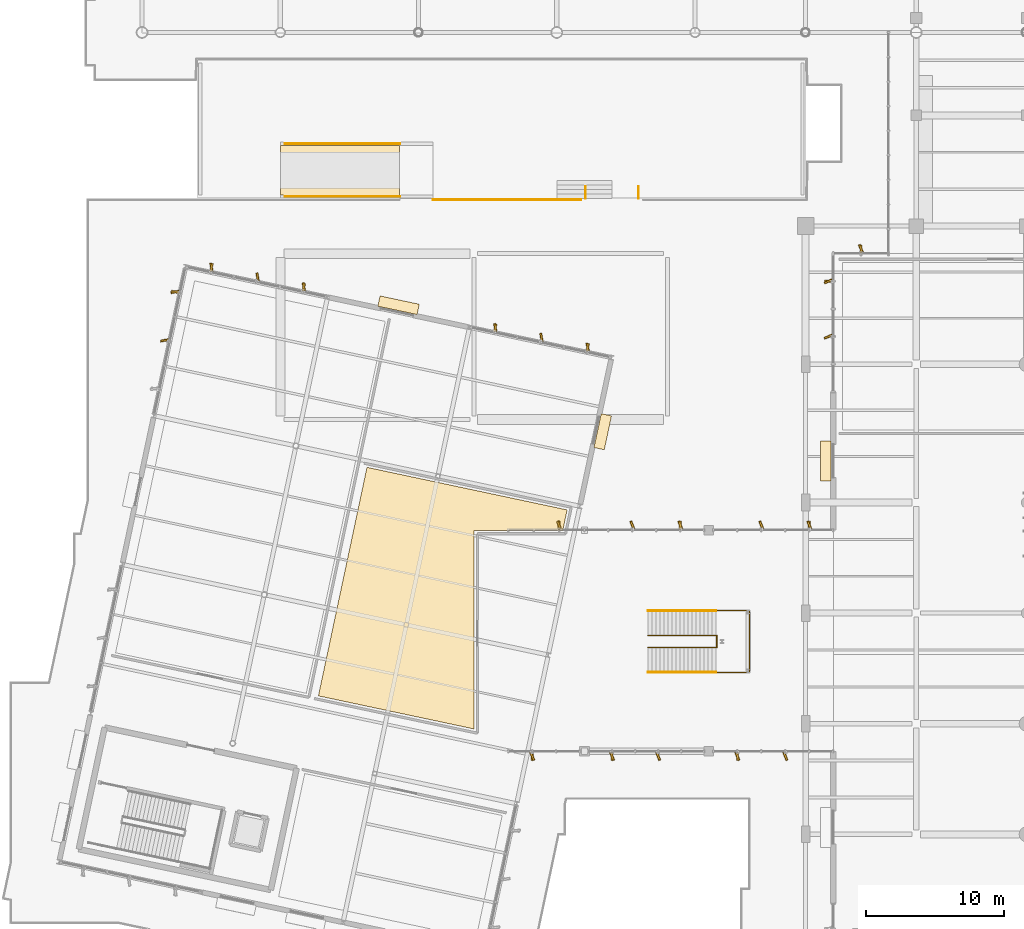
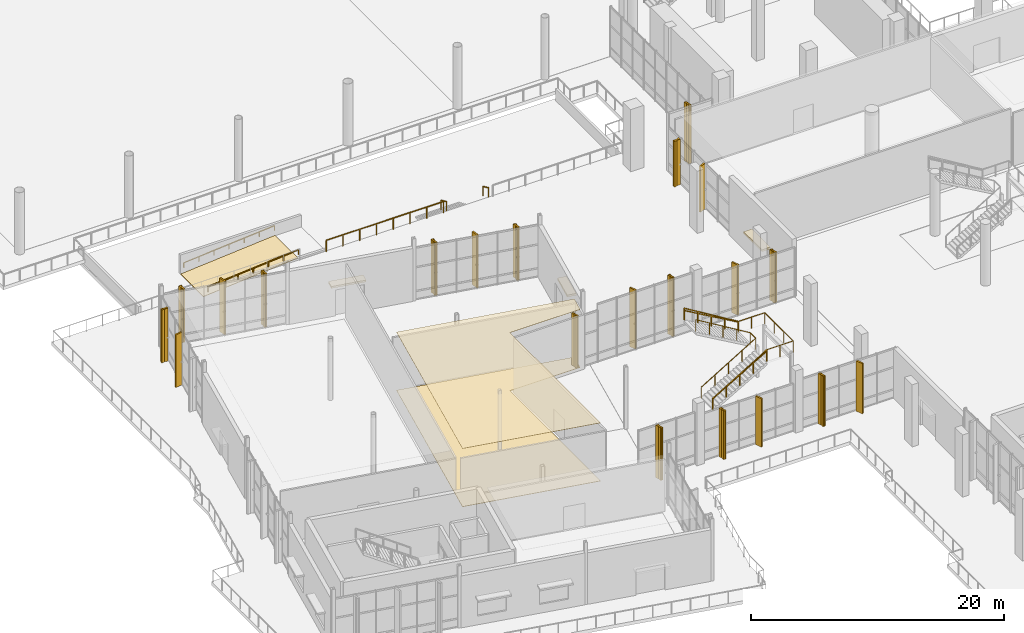
# One storey, part 151 of 163: 21 shading devices, 19 coverings, 11 railings, 3 elements without a shape of their own.
"""IFC4 building model written with IfcOpenShell, lengths in metres."""

from ifc_helpers import new_model, si_unit, direction, frame, origin, origin_2d, place, context, subcontext, project, spatial, polyline, rectangle, outline, extrude, material, layer, layer_set, type_object, element, aggregate, save


model = new_model("IFC4")

# Units and contexts
model_context = context("Model", 3, precision=1e-05, world=origin(), true_north=direction((0.0, 1.0)))
body_context = subcontext(model_context, "Body", "Model", "MODEL_VIEW")
ifc_project = project(units=[si_unit("LENGTHUNIT", "METRE"), si_unit("AREAUNIT", "SQUARE_METRE"), si_unit("VOLUMEUNIT", "CUBIC_METRE"), si_unit("PLANEANGLEUNIT", "RADIAN"), si_unit("MASSUNIT", "GRAM", prefix="KILO")], contexts=[model_context])

# Site, building, storey
site_placement = place(None, origin())
site = spatial("IfcSite", under=ifc_project, at=site_placement, CompositionType="ELEMENT")
building_placement = place(site_placement, origin())
building = spatial("IfcBuilding", under=site, at=building_placement, Name="Khorjan Park Terminus", CompositionType="ELEMENT")
storey_placement = place(building_placement, origin())
storey = spatial("IfcBuildingStorey", under=building, at=storey_placement, Name="L00", CompositionType="ELEMENT", Elevation=0.0)

# Coverings
ifc_material_1 = material(Name="Perforated Acoustic Aluminium Baffle Ceiling", Category="aluminium")
ifc_layer_1 = layer(ifc_material_1, 0.03)
ifc_layer_set_1 = layer_set([ifc_layer_1], Name="Perforated Acoustic Aluminium Baffle Ceiling")
covering_type_1 = type_object("IfcCoveringType", Name="CV-CLG-ACS", PredefinedType="CEILING", material=ifc_layer_set_1)
covering_1_placement = place(storey_placement, frame((0.0, 0.0, 5.615)))
element("IfcCovering", 1, at=covering_1_placement, inside=storey, type_object=covering_type_1, Name="Flush acoustic baffle ceiling AC-60 (L00-PAV-BKR)", PredefinedType="CEILING", context=body_context, shape_type="SweptSolid", body=[
    extrude(outline(polyline([(30.434, 65.99), (24.01, 65.99), (24.01, 51.6208), (12.7574, 54.0127), (16.2712, 70.5433), (30.7478, 67.4662), (30.434, 65.99)])), origin(), (0.0, 0.0, 1.0), 0.03),
])
ifc_material_2 = material(Name="Pigmented Precast GRC", Category="concrete")
ifc_layer_2 = layer(ifc_material_2, 0.16)
ifc_layer_set_2 = layer_set([ifc_layer_2], Name="Pigmented Precast GRC")
covering_type_2 = type_object("IfcCoveringType", Name="CV-FIN-GRC", PredefinedType="CLADDING", material=ifc_layer_set_2)
covering_2_placement = place(storey_placement, frame((52.0, 86.355, -0.02), z_axis=(0.0, 0.0, 1.0), x_axis=(0.0, -1.0, 0.0)))
element("IfcCovering", 2, at=covering_2_placement, inside=storey, type_object=covering_type_2, Name="Projecting desert-sandstone GRC facade fin CL-FN1 (CW-V2-N-L00-01-1)", PredefinedType="CLADDING", context=body_context, shape_type="SweptSolid", body=[
    extrude(rectangle(XDim=0.58, YDim=0.16, at=origin_2d()), origin(), (0.0, 0.0, 1.0), 5.66),
])
covering_3_placement = place(storey_placement, frame((49.645, 84.0, -0.02), z_axis=(0.0, 0.0, 1.0), x_axis=(1.0, 0.0, 0.0)))
element("IfcCovering", 3, at=covering_3_placement, inside=storey, type_object=covering_type_2, Name="Projecting desert-sandstone GRC facade fin CL-FN1 (CW-V2-W-L00-05-1)", PredefinedType="CLADDING", context=body_context, shape_type="SweptSolid", body=[
    extrude(rectangle(XDim=0.58, YDim=0.16, at=origin_2d()), origin(), (0.0, 0.0, 1.0), 4.405),
])
covering_4_placement = place(storey_placement, frame((28.2233, 49.645, -0.02), z_axis=(0.0, 0.0, 1.0), x_axis=(0.0, 1.0, 0.0)))
element("IfcCovering", 4, at=covering_4_placement, inside=storey, type_object=covering_type_2, Name="Projecting desert-sandstone GRC facade fin CL-FN1 (CW-V4L-S-L00-1-1)", PredefinedType="CLADDING", context=body_context, shape_type="SweptSolid", body=[
    extrude(rectangle(XDim=0.58, YDim=0.16, at=origin_2d()), origin(), (0.0, 0.0, 1.0), 5.065),
])
covering_5_placement = place(storey_placement, frame((30.1667, 66.355, -0.02), z_axis=(0.0, 0.0, 1.0), x_axis=(0.0, -1.0, 0.0)))
element("IfcCovering", 5, at=covering_5_placement, inside=storey, type_object=covering_type_2, Name="Projecting desert-sandstone GRC facade fin CL-FN1 (CW-V4L-N-L00-1-1)", PredefinedType="CLADDING", context=body_context, shape_type="SweptSolid", body=[
    extrude(rectangle(XDim=0.58, YDim=0.16, at=origin_2d()), origin(), (0.0, 0.0, 1.0), 5.055),
])
covering_6_placement = place(storey_placement, frame((33.998, 49.645, -0.02), z_axis=(0.0, 0.0, 1.0), x_axis=(0.0, 1.0, 0.0)))
element("IfcCovering", 6, at=covering_6_placement, inside=storey, type_object=covering_type_2, Name="Projecting desert-sandstone GRC facade fin CL-FN1 (CW-V4L-S-L00-2-1)", PredefinedType="CLADDING", context=body_context, shape_type="SweptSolid", body=[
    extrude(rectangle(XDim=0.58, YDim=0.16, at=origin_2d()), origin(), (0.0, 0.0, 1.0), 4.685),
])
covering_7_placement = place(storey_placement, frame((38.936, 66.355, -0.02), z_axis=(0.0, 0.0, 1.0), x_axis=(0.0, -1.0, 0.0)))
element("IfcCovering", 7, at=covering_7_placement, inside=storey, type_object=covering_type_2, Name="Projecting desert-sandstone GRC facade fin CL-FN1 (CW-V4L-N-L00-2-1)", PredefinedType="CLADDING", context=body_context, shape_type="SweptSolid", body=[
    extrude(rectangle(XDim=0.58, YDim=0.16, at=origin_2d()), origin(), (0.0, 0.0, 1.0), 5.68),
])
for number, where, z_axis, x_axis, name in (
    (8, (43.064, 49.645, -0.02), (0.0, 0.0, 1.0), (0.0, 1.0, 0.0), "Projecting desert-sandstone GRC facade fin CL-FN1 (CW-V4L-S-L00-3-1)"),
    (9, (48.266, 66.355, -0.02), (0.0, 0.0, 1.0), (0.0, -1.0, 0.0), "Projecting desert-sandstone GRC facade fin CL-FN1 (CW-V4L-N-L00-3-1)"),
):
    element("IfcCovering", number, at=place(storey_placement, frame(where, z_axis=z_axis, x_axis=x_axis)), inside=storey, type_object=covering_type_2, Name=name, PredefinedType="CLADDING", context=body_context, shape_type="SweptSolid", body=[
        extrude(rectangle(XDim=0.58, YDim=0.16, at=origin_2d()), origin(), (0.0, 0.0, 1.0), 4.865),
    ])
for number, where, z_axis, x_axis, name in (
    (10, (32.2356, 79.2187, -0.02), (0.0, 0.0, 1.0), (-0.207911690818, -0.978147600734, 0.0), "Projecting desert-sandstone GRC facade fin CL-FN1 (CW-V4-N-L00-B01-1)"),
    (11, (25.5513, 80.6394, -0.02), (0.0, 0.0, 1.0), (-0.207911690818, -0.978147600734, 0.0), "Projecting desert-sandstone GRC facade fin CL-FN1 (CW-V4-N-L00-B01-5)"),
):
    element("IfcCovering", number, at=place(storey_placement, frame(where, z_axis=z_axis, x_axis=x_axis)), inside=storey, type_object=covering_type_2, Name=name, PredefinedType="CLADDING", context=body_context, shape_type="SweptSolid", body=[
        extrude(rectangle(XDim=0.58, YDim=0.16, at=origin_2d()), origin(), (0.0, 0.0, 1.0), 5.115),
    ])
for number, where, z_axis, x_axis, name in (
    (12, (11.7044, 83.5827, -0.02), (0.0, 0.0, 1.0), (-0.207911690818, -0.978147600734, 0.0), "Projecting desert-sandstone GRC facade fin CL-FN1 (CW-V4-N-L00-B03-1)"),
    (13, (5.0202, 85.0035, -0.02), (0.0, 0.0, 1.0), (-0.207911690818, -0.978147600734, 0.0), "Projecting desert-sandstone GRC facade fin CL-FN1 (CW-V4-N-L00-B03-5)"),
):
    element("IfcCovering", number, at=place(storey_placement, frame(where, z_axis=z_axis, x_axis=x_axis)), inside=storey, type_object=covering_type_2, Name=name, PredefinedType="CLADDING", context=body_context, shape_type="SweptSolid", body=[
        extrude(rectangle(XDim=0.58, YDim=0.16, at=origin_2d()), origin(), (0.0, 0.0, 1.0), 5.165),
    ])
covering_8_placement = place(storey_placement, frame((2.4017, 83.2338, -0.02), z_axis=(0.0, 0.0, 1.0), x_axis=(0.978147600734, -0.207911690818, 0.0)))
element("IfcCovering", 14, at=covering_8_placement, inside=storey, type_object=covering_type_2, Name="Projecting desert-sandstone GRC facade fin CL-FN1 (CW-V4-W-L00-B01-1)", PredefinedType="CLADDING", context=body_context, shape_type="SweptSolid", body=[
    extrude(rectangle(XDim=0.58, YDim=0.16, at=origin_2d()), origin(), (0.0, 0.0, 1.0), 5.105),
])
ifc_material_3 = material(Name="Exterior Flamed Granite Ramp Paving", Category="masonry")
ifc_layer_3 = layer(ifc_material_3, 0.045)
ifc_layer_set_3 = layer_set([ifc_layer_3], Name="Exterior Flamed Granite Ramp Paving")
covering_type_3 = type_object("IfcCoveringType", Name="CV-FLR-GRNE", PredefinedType="FLOORING", material=ifc_layer_set_3)
covering_9_placement = place(storey_placement, frame((10.0, 90.24, -0.68), z_axis=(-0.083045479854, 0.0, 0.996545758245), x_axis=(0.996545758245, 0.0, 0.083045479854)))
element("IfcCovering", 15, at=covering_9_placement, inside=storey, type_object=covering_type_3, Name="Flamed granite ramp wearing surface FF-GRNE (GRMP-N-PK)", PredefinedType="FLOORING", context=body_context, shape_type="SweptSolid", body=[
    extrude(outline(polyline([(0.0, 0.0), (8.669948096730455, 0.0), (8.669948096730455, 3.6000000000000085), (0.0, 3.6000000000000085), (0.0, 0.0)])), origin(), (0.0, 0.0, -1.0), 0.045),
])
ifc_material_4 = material(Name="Polished Desert Limestone Terrazzo", Category="masonry")
ifc_layer_4 = layer(ifc_material_4, 0.035)
ifc_layer_set_4 = layer_set([ifc_layer_4], Name="Polished Desert Limestone Terrazzo")
covering_type_4 = type_object("IfcCoveringType", Name="CV-FLR-TRZ", PredefinedType="FLOORING", material=ifc_layer_set_4)
covering_10_placement = place(storey_placement, origin())
element("IfcCovering", 16, at=covering_10_placement, inside=storey, type_object=covering_type_4, Name="Architectural floor finish FF-TRZ (L00-PAV-BKR)", PredefinedType="FLOORING", context=body_context, shape_type="SweptSolid", body=[
    extrude(outline(polyline([(30.434, 65.99), (24.01, 65.99), (24.01, 51.6208), (12.7574, 54.0127), (16.2712, 70.5433), (30.7478, 67.4662), (30.434, 65.99)])), origin(), (0.0, 0.0, 1.0), 0.035),
])
ifc_layer_5 = layer(ifc_material_2, 0.18)
ifc_layer_set_5 = layer_set([ifc_layer_5], Name="Pigmented Precast GRC")
covering_type_5 = type_object("IfcCoveringType", Name="CV-HOOD-GRC", PredefinedType="CLADDING", material=ifc_layer_set_5)
covering_11_placement = place(storey_placement, frame((49.47, 71.0, 2.51), z_axis=(0.0, 0.0, 1.0), x_axis=(0.0, -1.0, 0.0)))
element("IfcCovering", 17, at=covering_11_placement, inside=storey, type_object=covering_type_5, Name="Projecting pigmented-GRC entrance canopy hood CL-HD1 (EW-V2-W-L00-04)", PredefinedType="CLADDING", context=body_context, shape_type="SweptSolid", body=[
    extrude(rectangle(XDim=2.9, YDim=0.76, at=origin_2d()), origin(), (0.0, 0.0, 1.0), 0.18),
])
covering_12_placement = place(storey_placement, frame((33.3244, 73.1194, 2.41), z_axis=(0.0, 0.0, 1.0), x_axis=(0.207912394777, 0.978147451102, 0.0)))
element("IfcCovering", 18, at=covering_12_placement, inside=storey, type_object=covering_type_5, Name="Projecting pigmented-GRC entrance canopy hood CL-HD1 (EW-V4-E-L00-B04)", PredefinedType="CLADDING", context=body_context, shape_type="SweptSolid", body=[
    extrude(rectangle(XDim=2.5, YDim=0.76, at=origin_2d()), origin(), (0.0, 0.0, 1.0), 0.18),
])
covering_13_placement = place(storey_placement, frame((18.5541, 82.2699, 2.51), z_axis=(0.0, 0.0, 1.0), x_axis=(-0.978147536904, 0.207911991112, 0.0)))
element("IfcCovering", 19, at=covering_13_placement, inside=storey, type_object=covering_type_5, Name="Projecting pigmented-GRC entrance canopy hood CL-HD1 (EW-V4-N-L00-B02)", PredefinedType="CLADDING", context=body_context, shape_type="SweptSolid", body=[
    extrude(rectangle(XDim=2.9, YDim=0.76, at=origin_2d()), origin(), (0.0, 0.0, 1.0), 0.18),
])

# Stair, railings
ifc_material_5 = material(Name="Concrete C40/50", Category="concrete")
stair_type_1 = type_object("IfcStairType", Name="STR-PUB-190", PredefinedType="HALF_TURN_STAIR", material=ifc_material_5)
stair_1_placement = place(storey_placement, origin())
stair_1 = element("IfcStair", 20, at=stair_1_placement, inside=storey, type_object=stair_type_1, Name="Public passenger half-turn stair PVS-01", PredefinedType="HALF_TURN_STAIR")
ifc_material_6 = material(Name="Steel S355", Category="steel")
railing_type_1 = type_object("IfcRailingType", Name="GR-112", PredefinedType="GUARDRAIL", material=ifc_material_6)
railing_1_placement = place(storey_placement, frame((36.6, 57.52, 0.0)))
railing_1 = element("IfcRailing", 21, at=railing_1_placement, type_object=railing_type_1, Name="Stair PVS-01 inner well slot guard GR-112", PredefinedType="GUARDRAIL", context=body_context, shape_type="SweptSolid", body=[
    extrude(rectangle(XDim=0.048, YDim=0.048, at=origin_2d()), frame((0.0, 0.0, 1.096), z_axis=(0.856121964148, 0.0, 0.516773821418), x_axis=(0.0, 1.0, 0.0)), (0.0, 0.0, 1.0), 5.8052),
    extrude(rectangle(XDim=0.048, YDim=0.048, at=origin_2d()), frame((4.97, 0.0, 4.096), z_axis=(0.0, 1.0, 0.0), x_axis=(-1.0, 0.0, 0.0)), (0.0, 0.0, 1.0), 0.86),
    extrude(rectangle(XDim=0.048, YDim=0.048, at=origin_2d()), frame((4.97, 0.86, 4.096), z_axis=(-0.856121964148, 0.0, 0.516773821418), x_axis=(0.0, -1.0, 0.0)), (0.0, 0.0, 1.0), 5.8052),
    extrude(rectangle(XDim=0.042, YDim=0.042, at=origin_2d()), origin(), (0.0, 0.0, 1.0), 1.072),
    extrude(rectangle(XDim=0.042, YDim=0.042, at=origin_2d()), frame((1.2425, 0.0, 0.75)), (0.0, 0.0, 1.0), 1.072),
    extrude(rectangle(XDim=0.042, YDim=0.042, at=origin_2d()), frame((2.485, 0.0, 1.5)), (0.0, 0.0, 1.0), 1.072),
    extrude(rectangle(XDim=0.042, YDim=0.042, at=origin_2d()), frame((3.7275, 0.0, 2.25)), (0.0, 0.0, 1.0), 1.072),
    extrude(rectangle(XDim=0.042, YDim=0.042, at=origin_2d()), frame((4.97, 0.0, 3.0)), (0.0, 0.0, 1.0), 1.072),
    extrude(rectangle(XDim=0.042, YDim=0.042, at=origin_2d()), frame((4.97, 0.86, 3.0)), (0.0, 0.0, 1.0), 1.072),
    extrude(rectangle(XDim=0.042, YDim=0.042, at=origin_2d()), frame((3.7275, 0.86, 3.75)), (0.0, 0.0, 1.0), 1.072),
    extrude(rectangle(XDim=0.042, YDim=0.042, at=origin_2d()), frame((2.485, 0.86, 4.5)), (0.0, 0.0, 1.0), 1.072),
    extrude(rectangle(XDim=0.042, YDim=0.042, at=origin_2d()), frame((1.2425, 0.86, 5.25)), (0.0, 0.0, 1.0), 1.072),
    extrude(rectangle(XDim=0.042, YDim=0.042, at=origin_2d()), frame((0.0, 0.86, 6.0)), (0.0, 0.0, 1.0), 1.072),
])
railing_2_placement = place(storey_placement, frame((41.53, 55.7, 3.0)))
railing_2 = element("IfcRailing", 22, at=railing_2_placement, type_object=railing_type_1, Name="Stair PVS-01 horizontal half-landing guard GR-112", PredefinedType="GUARDRAIL", context=body_context, shape_type="SweptSolid", body=[
    extrude(rectangle(XDim=0.048, YDim=0.048, at=origin_2d()), frame((0.0, 0.0, 1.096), z_axis=(1.0, 0.0, 0.0), x_axis=(0.0, 1.0, 0.0)), (0.0, 0.0, 1.0), 2.41),
    extrude(rectangle(XDim=0.048, YDim=0.048, at=origin_2d()), frame((2.41, 0.0, 1.096), z_axis=(0.0, 1.0, 0.0), x_axis=(-1.0, 0.0, 0.0)), (0.0, 0.0, 1.0), 4.5),
    extrude(rectangle(XDim=0.048, YDim=0.048, at=origin_2d()), frame((2.41, 4.5, 1.096), z_axis=(-1.0, 0.0, 0.0), x_axis=(0.0, -1.0, 0.0)), (0.0, 0.0, 1.0), 2.41),
    extrude(rectangle(XDim=0.042, YDim=0.042, at=origin_2d()), origin(), (0.0, 0.0, 1.0), 1.072),
    extrude(rectangle(XDim=0.042, YDim=0.042, at=origin_2d()), frame((1.205, 0.0, 0.0)), (0.0, 0.0, 1.0), 1.072),
    extrude(rectangle(XDim=0.042, YDim=0.042, at=origin_2d()), frame((2.41, 0.0, 0.0)), (0.0, 0.0, 1.0), 1.072),
    extrude(rectangle(XDim=0.042, YDim=0.042, at=origin_2d()), frame((2.41, 1.5, 0.0)), (0.0, 0.0, 1.0), 1.072),
    extrude(rectangle(XDim=0.042, YDim=0.042, at=origin_2d()), frame((2.41, 3.0, 0.0)), (0.0, 0.0, 1.0), 1.072),
    extrude(rectangle(XDim=0.042, YDim=0.042, at=origin_2d()), frame((2.41, 4.5, 0.0)), (0.0, 0.0, 1.0), 1.072),
    extrude(rectangle(XDim=0.042, YDim=0.042, at=origin_2d()), frame((1.205, 4.5, 0.0)), (0.0, 0.0, 1.0), 1.072),
    extrude(rectangle(XDim=0.042, YDim=0.042, at=origin_2d()), frame((0.0, 4.5, 0.0)), (0.0, 0.0, 1.0), 1.072),
])
railing_3_placement = place(storey_placement, frame((36.6, 55.7, 0.0)))
railing_3 = element("IfcRailing", 23, at=railing_3_placement, type_object=railing_type_1, Name="Stair PVS-01 lower outer flight guard GR-112", PredefinedType="GUARDRAIL", context=body_context, shape_type="SweptSolid", body=[
    extrude(rectangle(XDim=0.048, YDim=0.048, at=origin_2d()), frame((0.0, 0.0, 1.096), z_axis=(0.854265470084, 0.0, 0.519837000051), x_axis=(0.0, 1.0, 0.0)), (0.0, 0.0, 1.0), 5.771),
    extrude(rectangle(XDim=0.042, YDim=0.042, at=origin_2d()), origin(), (0.0, 0.0, 1.0), 1.072),
    extrude(rectangle(XDim=0.042, YDim=0.042, at=origin_2d()), frame((1.2325, 0.0, 0.75)), (0.0, 0.0, 1.0), 1.072),
    extrude(rectangle(XDim=0.042, YDim=0.042, at=origin_2d()), frame((2.465, 0.0, 1.5)), (0.0, 0.0, 1.0), 1.072),
    extrude(rectangle(XDim=0.042, YDim=0.042, at=origin_2d()), frame((3.6975, 0.0, 2.25)), (0.0, 0.0, 1.0), 1.072),
    extrude(rectangle(XDim=0.042, YDim=0.042, at=origin_2d()), frame((4.93, 0.0, 3.0)), (0.0, 0.0, 1.0), 1.072),
])
railing_4_placement = place(storey_placement, frame((41.53, 60.2, 3.0)))
railing_4 = element("IfcRailing", 24, at=railing_4_placement, type_object=railing_type_1, Name="Stair PVS-01 upper outer flight guard GR-112", PredefinedType="GUARDRAIL", context=body_context, shape_type="SweptSolid", body=[
    extrude(rectangle(XDim=0.048, YDim=0.048, at=origin_2d()), frame((0.0, 0.0, 1.096), z_axis=(-0.854265470084, 0.0, 0.519837000051), x_axis=(0.0, -1.0, 0.0)), (0.0, 0.0, 1.0), 5.771),
    extrude(rectangle(XDim=0.042, YDim=0.042, at=origin_2d()), origin(), (0.0, 0.0, 1.0), 1.072),
    extrude(rectangle(XDim=0.042, YDim=0.042, at=origin_2d()), frame((-1.2325, 0.0, 0.75)), (0.0, 0.0, 1.0), 1.072),
    extrude(rectangle(XDim=0.042, YDim=0.042, at=origin_2d()), frame((-2.465, 0.0, 1.5)), (0.0, 0.0, 1.0), 1.072),
    extrude(rectangle(XDim=0.042, YDim=0.042, at=origin_2d()), frame((-3.6975, 0.0, 2.25)), (0.0, 0.0, 1.0), 1.072),
    extrude(rectangle(XDim=0.042, YDim=0.042, at=origin_2d()), frame((-4.93, 0.0, 3.0)), (0.0, 0.0, 1.0), 1.072),
])

# Railing
ifc_material_7 = material(Name="Anodized Bronze Aluminium & Laminated Glass", Category="aluminium")
railing_type_2 = type_object("IfcRailingType", Name="GR-BAL", PredefinedType="BALUSTRADE", material=ifc_material_7)
railing_5_placement = place(storey_placement, frame((21.04, 89.9002, 0.0)))
element("IfcRailing", 25, at=railing_5_placement, inside=storey, type_object=railing_type_2, Name="Perimeter safety guard GB-112 (L00-2)", PredefinedType="BALUSTRADE", context=body_context, shape_type="SweptSolid", body=[
    extrude(rectangle(XDim=0.048, YDim=0.048, at=origin_2d()), frame((0.0, 0.0, 1.096), z_axis=(0.999999999956, 9.337068e-06, 0.0), x_axis=(-9.337068e-06, 0.999999999956, 0.0)), (0.0, 0.0, 1.0), 10.71),
    extrude(rectangle(XDim=0.042, YDim=0.042, at=origin_2d()), origin(), (0.0, 0.0, 1.0), 1.072),
    extrude(rectangle(XDim=0.042, YDim=0.042, at=origin_2d()), frame((1.53, 0.0, 0.0)), (0.0, 0.0, 1.0), 1.072),
    extrude(rectangle(XDim=0.042, YDim=0.042, at=origin_2d()), frame((3.06, 0.0, 0.0)), (0.0, 0.0, 1.0), 1.072),
    extrude(rectangle(XDim=0.042, YDim=0.042, at=origin_2d()), frame((4.59, 0.0, 0.0)), (0.0, 0.0, 1.0), 1.072),
    extrude(rectangle(XDim=0.042, YDim=0.042, at=origin_2d()), frame((6.12, 0.0001, 0.0)), (0.0, 0.0, 1.0), 1.072),
    extrude(rectangle(XDim=0.042, YDim=0.042, at=origin_2d()), frame((7.65, 0.0001, 0.0)), (0.0, 0.0, 1.0), 1.072),
    extrude(rectangle(XDim=0.042, YDim=0.042, at=origin_2d()), frame((9.18, 0.0001, 0.0)), (0.0, 0.0, 1.0), 1.072),
    extrude(rectangle(XDim=0.042, YDim=0.042, at=origin_2d()), frame((10.71, 0.0001, 0.0)), (0.0, 0.0, 1.0), 1.072),
])

railing_type_3 = type_object("IfcRailingType", Name="HR-92", PredefinedType="HANDRAIL", material=ifc_material_6)
railing_6_placement = place(storey_placement, frame((36.6, 55.74, 0.1667)))
railing_6 = element("IfcRailing", 26, at=railing_6_placement, type_object=railing_type_3, Name="Stair PVS-01 lower handrail HR-92", PredefinedType="HANDRAIL", context=body_context, shape_type="SweptSolid", body=[
    extrude(rectangle(XDim=0.048, YDim=0.048, at=origin_2d()), frame((0.0, 0.0, 0.896), z_axis=(0.867016476548, 0.0, 0.498279469169), x_axis=(0.0, 1.0, 0.0)), (0.0, 0.0, 1.0), 5.6862),
    extrude(rectangle(XDim=0.042, YDim=0.042, at=origin_2d()), origin(), (0.0, 0.0, 1.0), 0.872),
    extrude(rectangle(XDim=0.042, YDim=0.042, at=origin_2d()), frame((1.2325, 0.0, 0.7083)), (0.0, 0.0, 1.0), 0.872),
    extrude(rectangle(XDim=0.042, YDim=0.042, at=origin_2d()), frame((2.465, 0.0, 1.4166)), (0.0, 0.0, 1.0), 0.872),
    extrude(rectangle(XDim=0.042, YDim=0.042, at=origin_2d()), frame((3.6975, 0.0, 2.125)), (0.0, 0.0, 1.0), 0.872),
    extrude(rectangle(XDim=0.042, YDim=0.042, at=origin_2d()), frame((4.93, 0.0, 2.8333)), (0.0, 0.0, 1.0), 0.872),
])

railing_7_placement = place(storey_placement, frame((41.53, 60.16, 3.1667)))
railing_7 = element("IfcRailing", 27, at=railing_7_placement, type_object=railing_type_3, Name="Stair PVS-01 upper handrail HR-92", PredefinedType="HANDRAIL", context=body_context, shape_type="SweptSolid", body=[
    extrude(rectangle(XDim=0.048, YDim=0.048, at=origin_2d()), frame((0.0, 0.0, 0.896), z_axis=(-0.867016476548, 0.0, 0.498279469169), x_axis=(0.0, -1.0, 0.0)), (0.0, 0.0, 1.0), 5.6862),
    extrude(rectangle(XDim=0.042, YDim=0.042, at=origin_2d()), origin(), (0.0, 0.0, 1.0), 0.872),
    extrude(rectangle(XDim=0.042, YDim=0.042, at=origin_2d()), frame((-1.2325, 0.0, 0.7083)), (0.0, 0.0, 1.0), 0.872),
    extrude(rectangle(XDim=0.042, YDim=0.042, at=origin_2d()), frame((-2.465, 0.0, 1.4166)), (0.0, 0.0, 1.0), 0.872),
    extrude(rectangle(XDim=0.042, YDim=0.042, at=origin_2d()), frame((-3.6975, 0.0, 2.125)), (0.0, 0.0, 1.0), 0.872),
    extrude(rectangle(XDim=0.042, YDim=0.042, at=origin_2d()), frame((-4.93, 0.0, 2.8333)), (0.0, 0.0, 1.0), 0.872),
])

aggregate(stair_1, [railing_6, railing_7, railing_1, railing_2, railing_3, railing_4])

# Stair, railings
stair_type_2 = type_object("IfcStairType", Name="STR-CIV-400", PredefinedType="STRAIGHT_RUN_STAIR", material=ifc_material_5)
stair_2_placement = place(storey_placement, origin())
stair_2 = element("IfcStair", 28, at=stair_2_placement, inside=storey, type_object=stair_type_2, Name="Monumental civic entrance stair ES-03", PredefinedType="STRAIGHT_RUN_STAIR")
railing_type_4 = type_object("IfcRailingType", Name="HR-EXT", PredefinedType="HANDRAIL", material=ifc_material_6)
railing_8_placement = place(storey_placement, frame((32.08, 90.86, -0.387)))
railing_8 = element("IfcRailing", 29, at=railing_8_placement, type_object=railing_type_4, Name="Civic stair ES-03 left handrail HR-EXT", PredefinedType="HANDRAIL", context=body_context, shape_type="SweptSolid", body=[
    extrude(rectangle(XDim=0.048, YDim=0.048, at=origin_2d()), frame((0.0, 0.0, 0.896), z_axis=(0.0, -0.911921505175, 0.410364677329), x_axis=(1.0, 0.0, 0.0)), (0.0, 0.0, 1.0), 0.9431),
    extrude(rectangle(XDim=0.042, YDim=0.042, at=origin_2d()), origin(), (0.0, 0.0, 1.0), 0.872),
    extrude(rectangle(XDim=0.042, YDim=0.042, at=origin_2d()), frame((0.0, -0.86, 0.387)), (0.0, 0.0, 1.0), 0.872),
])
railing_9_placement = place(storey_placement, frame((35.92, 90.86, -0.387)))
railing_9 = element("IfcRailing", 30, at=railing_9_placement, type_object=railing_type_4, Name="Civic stair ES-03 right handrail HR-EXT", PredefinedType="HANDRAIL", context=body_context, shape_type="SweptSolid", body=[
    extrude(rectangle(XDim=0.048, YDim=0.048, at=origin_2d()), frame((0.0, 0.0, 0.896), z_axis=(0.0, -0.911921505175, 0.410364677329), x_axis=(1.0, 0.0, 0.0)), (0.0, 0.0, 1.0), 0.9431),
    extrude(rectangle(XDim=0.042, YDim=0.042, at=origin_2d()), origin(), (0.0, 0.0, 1.0), 0.872),
    extrude(rectangle(XDim=0.042, YDim=0.042, at=origin_2d()), frame((0.0, -0.86, 0.387)), (0.0, 0.0, 1.0), 0.872),
])
aggregate(stair_2, [railing_8, railing_9])

# Ramp, railings
ramp_type = type_object("IfcRampType", Name="RMP-ACC-360", PredefinedType="STRAIGHT_RUN_RAMP", material=ifc_material_5)
ramp_placement = place(storey_placement, origin())
ramp = element("IfcRamp", 31, at=ramp_placement, inside=storey, type_object=ramp_type, Name="Accessible 1:12 site-grade approach ramp AR-04", PredefinedType="STRAIGHT_RUN_RAMP")
railing_10_placement = place(storey_placement, frame((10.36, 90.13, -0.69)))
railing_10 = element("IfcRailing", 32, at=railing_10_placement, type_object=railing_type_4, Name="Accessible ramp handrail HR-EXT (GRMP-N-PK-S)", PredefinedType="HANDRAIL", context=body_context, shape_type="SweptSolid", body=[
    extrude(rectangle(XDim=0.048, YDim=0.048, at=origin_2d()), frame((0.0, 0.0, 0.896), z_axis=(0.996545758245, 0.0, 0.083045479854), x_axis=(0.0, 1.0, 0.0)), (0.0, 0.0, 1.0), 8.3087),
    extrude(rectangle(XDim=0.042, YDim=0.042, at=origin_2d()), frame((0.0, 0.0, 0.442)), (0.0, 0.0, 1.0), 0.43),
    extrude(rectangle(XDim=0.042, YDim=0.042, at=origin_2d()), frame((1.38, 0.0, 0.557)), (0.0, 0.0, 1.0), 0.43),
    extrude(rectangle(XDim=0.042, YDim=0.042, at=origin_2d()), frame((2.76, 0.0, 0.672)), (0.0, 0.0, 1.0), 0.43),
    extrude(rectangle(XDim=0.042, YDim=0.042, at=origin_2d()), frame((4.14, 0.0, 0.787)), (0.0, 0.0, 1.0), 0.43),
    extrude(rectangle(XDim=0.042, YDim=0.042, at=origin_2d()), frame((5.52, 0.0, 0.902)), (0.0, 0.0, 1.0), 0.43),
    extrude(rectangle(XDim=0.042, YDim=0.042, at=origin_2d()), frame((6.9, 0.0, 1.017)), (0.0, 0.0, 1.0), 0.43),
    extrude(rectangle(XDim=0.042, YDim=0.042, at=origin_2d()), frame((8.28, 0.0, 1.132)), (0.0, 0.0, 1.0), 0.43),
])
railing_11_placement = place(storey_placement, frame((10.36, 93.95, -0.69)))
railing_11 = element("IfcRailing", 33, at=railing_11_placement, type_object=railing_type_4, Name="Accessible ramp handrail HR-EXT (GRMP-N-PK-N)", PredefinedType="HANDRAIL", context=body_context, shape_type="SweptSolid", body=[
    extrude(rectangle(XDim=0.048, YDim=0.048, at=origin_2d()), frame((0.0, 0.0, 0.896), z_axis=(0.996545758245, 0.0, 0.083045479854), x_axis=(0.0, 1.0, 0.0)), (0.0, 0.0, 1.0), 8.3087),
    extrude(rectangle(XDim=0.042, YDim=0.042, at=origin_2d()), frame((0.0, 0.0, 0.442)), (0.0, 0.0, 1.0), 0.43),
    extrude(rectangle(XDim=0.042, YDim=0.042, at=origin_2d()), frame((1.38, 0.0, 0.557)), (0.0, 0.0, 1.0), 0.43),
    extrude(rectangle(XDim=0.042, YDim=0.042, at=origin_2d()), frame((2.76, 0.0, 0.672)), (0.0, 0.0, 1.0), 0.43),
    extrude(rectangle(XDim=0.042, YDim=0.042, at=origin_2d()), frame((4.14, 0.0, 0.787)), (0.0, 0.0, 1.0), 0.43),
    extrude(rectangle(XDim=0.042, YDim=0.042, at=origin_2d()), frame((5.52, 0.0, 0.902)), (0.0, 0.0, 1.0), 0.43),
    extrude(rectangle(XDim=0.042, YDim=0.042, at=origin_2d()), frame((6.9, 0.0, 1.017)), (0.0, 0.0, 1.0), 0.43),
    extrude(rectangle(XDim=0.042, YDim=0.042, at=origin_2d()), frame((8.28, 0.0, 1.132)), (0.0, 0.0, 1.0), 0.43),
])
aggregate(ramp, [railing_10, railing_11])

# Shading devices
ifc_material_8 = material(Name="Anodized Bronze Aluminium", Category="aluminium")
shading_device_type = type_object("IfcShadingDeviceType", Name="SD-FIN-620", PredefinedType="JALOUSIE", material=ifc_material_8)
shading_device_1_placement = place(storey_placement, frame((52.0, 86.355, -0.02), z_axis=(0.0, 0.0, 1.0), x_axis=(0.374606593416, -0.927183854567, 0.0)))
element("IfcShadingDevice", 34, at=shading_device_1_placement, inside=storey, type_object=shading_device_type, Name="Angled solar brise-soleil fin SF-62 (CW-V2-N-L00-01-1)", PredefinedType="JALOUSIE", context=body_context, shape_type="SweptSolid", body=[
    extrude(rectangle(XDim=0.62, YDim=0.14, at=origin_2d()), origin(), (0.0, 0.0, 1.0), 5.66),
])
for number, where, z_axis, x_axis, name in (
    (35, (49.645, 84.0, -0.02), (0.0, 0.0, 1.0), (0.927183854567, 0.374606593416, 0.0), "Angled solar brise-soleil fin SF-62 (CW-V2-W-L00-05-1)"),
    (36, (49.645, 80.0, -0.02), (0.0, 0.0, 1.0), (0.927183854567, 0.374606593416, 0.0), "Angled solar brise-soleil fin SF-62 (CW-V2-W-L00-05-3)"),
):
    element("IfcShadingDevice", number, at=place(storey_placement, frame(where, z_axis=z_axis, x_axis=x_axis)), inside=storey, type_object=shading_device_type, Name=name, PredefinedType="JALOUSIE", context=body_context, shape_type="SweptSolid", body=[
        extrude(rectangle(XDim=0.62, YDim=0.14, at=origin_2d()), origin(), (0.0, 0.0, 1.0), 4.405),
    ])
shading_device_2_placement = place(storey_placement, frame((28.2233, 49.645, -0.02), z_axis=(0.0, 0.0, 1.0), x_axis=(-0.374606593416, 0.927183854567, 0.0)))
element("IfcShadingDevice", 37, at=shading_device_2_placement, inside=storey, type_object=shading_device_type, Name="Angled solar brise-soleil fin SF-62 (CW-V4L-S-L00-1-1)", PredefinedType="JALOUSIE", context=body_context, shape_type="SweptSolid", body=[
    extrude(rectangle(XDim=0.62, YDim=0.14, at=origin_2d()), origin(), (0.0, 0.0, 1.0), 5.065),
])
shading_device_3_placement = place(storey_placement, frame((30.1667, 66.355, -0.02), z_axis=(0.0, 0.0, 1.0), x_axis=(0.374606593416, -0.927183854567, 0.0)))
element("IfcShadingDevice", 38, at=shading_device_3_placement, inside=storey, type_object=shading_device_type, Name="Angled solar brise-soleil fin SF-62 (CW-V4L-N-L00-1-1)", PredefinedType="JALOUSIE", context=body_context, shape_type="SweptSolid", body=[
    extrude(rectangle(XDim=0.62, YDim=0.14, at=origin_2d()), origin(), (0.0, 0.0, 1.0), 5.055),
])
for number, where, z_axis, x_axis, name in (
    (39, (33.998, 49.645, -0.02), (0.0, 0.0, 1.0), (-0.374606593416, 0.927183854567, 0.0), "Angled solar brise-soleil fin SF-62 (CW-V4L-S-L00-2-1)"),
    (40, (37.334, 49.645, -0.02), (0.0, 0.0, 1.0), (-0.374606593416, 0.927183854567, 0.0), "Angled solar brise-soleil fin SF-62 (CW-V4L-S-L00-2-3)"),
):
    element("IfcShadingDevice", number, at=place(storey_placement, frame(where, z_axis=z_axis, x_axis=x_axis)), inside=storey, type_object=shading_device_type, Name=name, PredefinedType="JALOUSIE", context=body_context, shape_type="SweptSolid", body=[
        extrude(rectangle(XDim=0.62, YDim=0.14, at=origin_2d()), origin(), (0.0, 0.0, 1.0), 4.685),
    ])
for number, where, z_axis, x_axis, name in (
    (41, (38.936, 66.355, -0.02), (0.0, 0.0, 1.0), (0.374606593416, -0.927183854567, 0.0), "Angled solar brise-soleil fin SF-62 (CW-V4L-N-L00-2-1)"),
    (42, (35.468, 66.355, -0.02), (0.0, 0.0, 1.0), (0.374606593416, -0.927183854567, 0.0), "Angled solar brise-soleil fin SF-62 (CW-V4L-N-L00-2-3)"),
):
    element("IfcShadingDevice", number, at=place(storey_placement, frame(where, z_axis=z_axis, x_axis=x_axis)), inside=storey, type_object=shading_device_type, Name=name, PredefinedType="JALOUSIE", context=body_context, shape_type="SweptSolid", body=[
        extrude(rectangle(XDim=0.62, YDim=0.14, at=origin_2d()), origin(), (0.0, 0.0, 1.0), 5.68),
    ])
for number, where, z_axis, x_axis, name in (
    (43, (43.064, 49.645, -0.02), (0.0, 0.0, 1.0), (-0.374606593416, 0.927183854567, 0.0), "Angled solar brise-soleil fin SF-62 (CW-V4L-S-L00-3-1)"),
    (44, (46.532, 49.645, -0.02), (0.0, 0.0, 1.0), (-0.374606593416, 0.927183854567, 0.0), "Angled solar brise-soleil fin SF-62 (CW-V4L-S-L00-3-3)"),
    (45, (48.266, 66.355, -0.02), (0.0, 0.0, 1.0), (0.374606593416, -0.927183854567, 0.0), "Angled solar brise-soleil fin SF-62 (CW-V4L-N-L00-3-1)"),
    (46, (44.798, 66.355, -0.02), (0.0, 0.0, 1.0), (0.374606593416, -0.927183854567, 0.0), "Angled solar brise-soleil fin SF-62 (CW-V4L-N-L00-3-3)"),
):
    element("IfcShadingDevice", number, at=place(storey_placement, frame(where, z_axis=z_axis, x_axis=x_axis)), inside=storey, type_object=shading_device_type, Name=name, PredefinedType="JALOUSIE", context=body_context, shape_type="SweptSolid", body=[
        extrude(rectangle(XDim=0.62, YDim=0.14, at=origin_2d()), origin(), (0.0, 0.0, 1.0), 4.865),
    ])
for number, where, z_axis, x_axis, name in (
    (47, (32.2356, 79.2187, -0.02), (0.0, 0.0, 1.0), (0.173648177667, -0.984807753012, 0.0), "Angled solar brise-soleil fin SF-62 (CW-V4-N-L00-B01-1)"),
    (48, (28.8935, 79.9291, -0.02), (0.0, 0.0, 1.0), (0.173648177667, -0.984807753012, 0.0), "Angled solar brise-soleil fin SF-62 (CW-V4-N-L00-B01-3)"),
    (49, (25.5513, 80.6394, -0.02), (0.0, 0.0, 1.0), (0.173648177667, -0.984807753012, 0.0), "Angled solar brise-soleil fin SF-62 (CW-V4-N-L00-B01-5)"),
):
    element("IfcShadingDevice", number, at=place(storey_placement, frame(where, z_axis=z_axis, x_axis=x_axis)), inside=storey, type_object=shading_device_type, Name=name, PredefinedType="JALOUSIE", context=body_context, shape_type="SweptSolid", body=[
        extrude(rectangle(XDim=0.62, YDim=0.14, at=origin_2d()), origin(), (0.0, 0.0, 1.0), 5.115),
    ])
for number, where, z_axis, x_axis, name in (
    (50, (11.7044, 83.5827, -0.02), (0.0, 0.0, 1.0), (0.173648177667, -0.984807753012, 0.0), "Angled solar brise-soleil fin SF-62 (CW-V4-N-L00-B03-1)"),
    (51, (8.3623, 84.2931, -0.02), (0.0, 0.0, 1.0), (0.173648177667, -0.984807753012, 0.0), "Angled solar brise-soleil fin SF-62 (CW-V4-N-L00-B03-3)"),
    (52, (5.0202, 85.0035, -0.02), (0.0, 0.0, 1.0), (0.173648177667, -0.984807753012, 0.0), "Angled solar brise-soleil fin SF-62 (CW-V4-N-L00-B03-5)"),
):
    element("IfcShadingDevice", number, at=place(storey_placement, frame(where, z_axis=z_axis, x_axis=x_axis)), inside=storey, type_object=shading_device_type, Name=name, PredefinedType="JALOUSIE", context=body_context, shape_type="SweptSolid", body=[
        extrude(rectangle(XDim=0.62, YDim=0.14, at=origin_2d()), origin(), (0.0, 0.0, 1.0), 5.165),
    ])
for number, where, z_axis, x_axis, name in (
    (53, (2.4017, 83.2338, -0.02), (0.0, 0.0, 1.0), (0.984807753012, 0.173648177667, 0.0), "Angled solar brise-soleil fin SF-62 (CW-V4-W-L00-B01-1)"),
    (54, (1.6574, 79.7322, -0.02), (0.0, 0.0, 1.0), (0.984807753012, 0.173648177667, 0.0), "Angled solar brise-soleil fin SF-62 (CW-V4-W-L00-B01-3)"),
):
    element("IfcShadingDevice", number, at=place(storey_placement, frame(where, z_axis=z_axis, x_axis=x_axis)), inside=storey, type_object=shading_device_type, Name=name, PredefinedType="JALOUSIE", context=body_context, shape_type="SweptSolid", body=[
        extrude(rectangle(XDim=0.62, YDim=0.14, at=origin_2d()), origin(), (0.0, 0.0, 1.0), 5.105),
    ])

save(model, "model.ifc")
